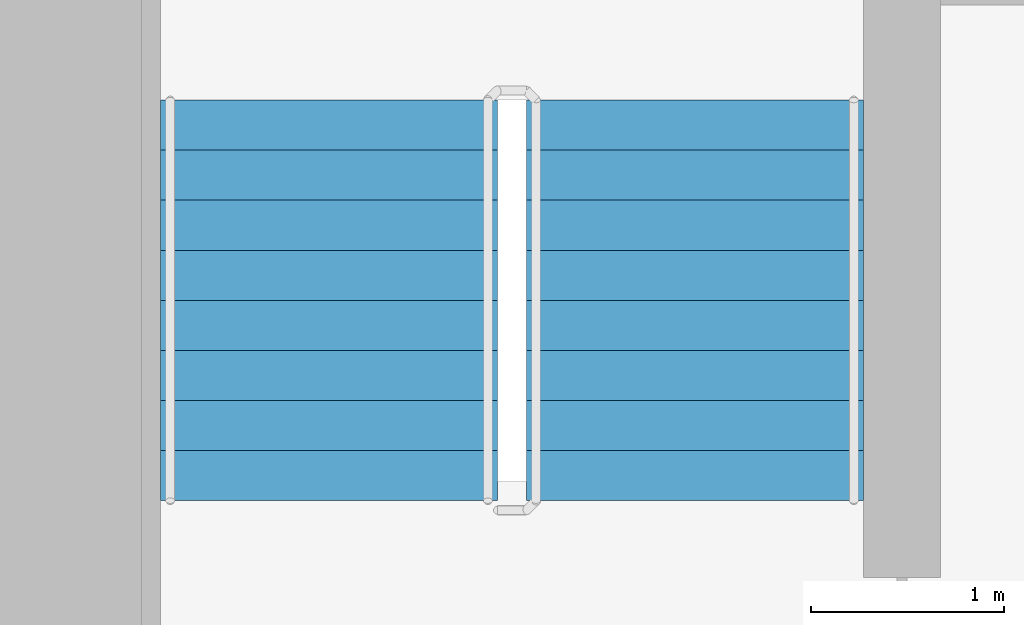
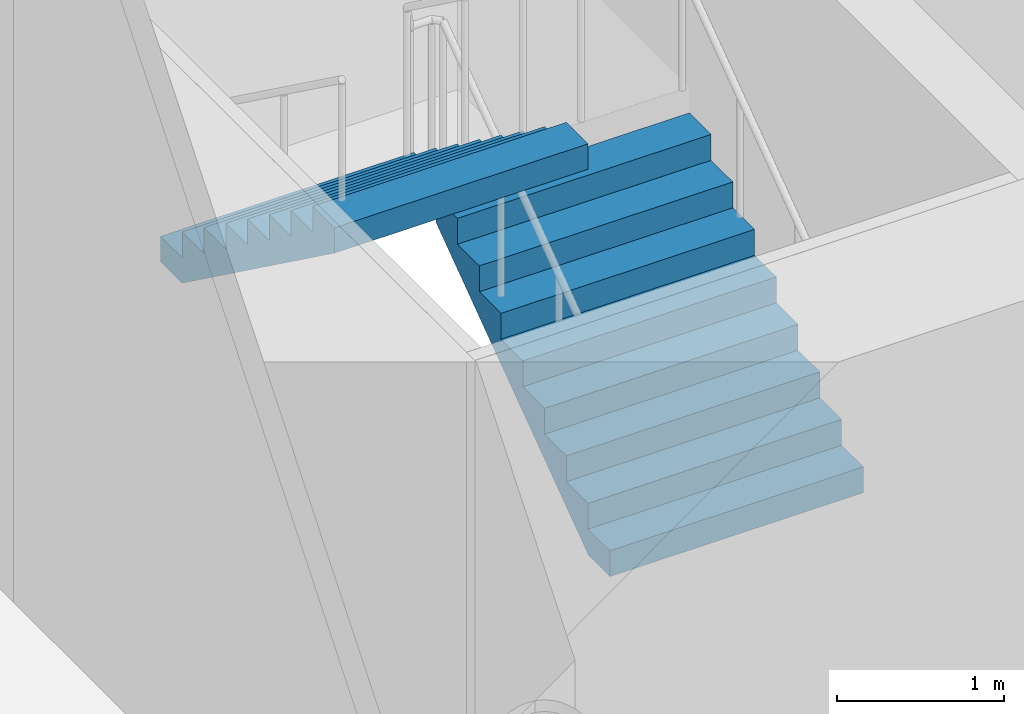
# One storey, part 35 of 40: 2 stair flights, 1 element without a shape of its own.
"""IFC4 building model written with IfcOpenShell, lengths in metres."""

from ifc_helpers import new_model, si_unit, direction, frame, origin, place, context, subcontext, project, spatial, faceted_brep, material, type_object, element, aggregate, save


model = new_model("IFC4")

# Units and contexts
model_context = context("Model", 3, precision=1e-05, world=origin(), true_north=direction((0.0, 1.0)))
body_context = subcontext(model_context, "Body", "Model", "MODEL_VIEW")
ifc_project = project(units=[si_unit("LENGTHUNIT", "METRE"), si_unit("AREAUNIT", "SQUARE_METRE"), si_unit("VOLUMEUNIT", "CUBIC_METRE"), si_unit("PLANEANGLEUNIT", "RADIAN"), si_unit("MASSUNIT", "GRAM", prefix="KILO")], contexts=[model_context])

# Site, building, storey
site_placement = place(None, origin())
site = spatial("IfcSite", under=ifc_project, at=site_placement, CompositionType="ELEMENT")
building_placement = place(site_placement, origin())
building = spatial("IfcBuilding", under=site, at=building_placement, Name="Ipe Terrace Towers", CompositionType="ELEMENT")
storey_placement = place(building_placement, frame((0.0, 0.0, 24.5)))
storey = spatial("IfcBuildingStorey", under=building, at=storey_placement, Name="L05", CompositionType="ELEMENT", Elevation=24.5)

# Stair, stair flights
ifc_material_1 = material(Name="Concrete C30/37", Category="concrete")
stair_type = type_object("IfcStairType", Name="Protected exit stair", PredefinedType="HALF_TURN_STAIR", material=ifc_material_1)
stair_placement = place(storey_placement, origin())
stair = element("IfcStair", 1, at=stair_placement, inside=storey, type_object=stair_type, Name="L05 Exit stair T2-C1", PredefinedType="HALF_TURN_STAIR")
ifc_material_2 = material(Name="Concrete C30/37", Category="concrete")
stair_flight_type = type_object("IfcStairFlightType", Name="Exit stair flight 1750", PredefinedType="STRAIGHT", material=ifc_material_2)
stair_flight_1_placement = place(storey_placement, frame((33.22509765625, 9.699951171875, 0.0), z_axis=(0.0, 0.0, 1.0), x_axis=(0.0, 1.0, 0.0)))
stair_flight_1 = element("IfcStairFlight", 2, at=stair_flight_1_placement, type_object=stair_flight_type, Name="T2-ST1 flight 1", NumberOfRisers=9, NumberOfTreads=8, PredefinedType="STRAIGHT", RiserHeight=0.188888889, TreadLength=0.26, context=body_context, shape_type="Brep", body=[
    faceted_brep([(0.255126953125, -0.875, 0.0), (2.080078125, -0.875, 1.325927734375), (2.080078125, -0.875, 1.51123046875), (1.820068359375, -0.875, 1.51123046875), (1.820068359375, -0.875, 1.322265625), (1.56005859375, -0.875, 1.322265625), (1.56005859375, -0.875, 1.13330078125), (1.300048828125, -0.875, 1.13330078125), (1.300048828125, -0.875, 0.9443359375), (1.0400390625, -0.875, 0.9443359375), (1.0400390625, -0.875, 0.755615234375), (0.780029296875, -0.875, 0.755615234375), (0.780029296875, -0.875, 0.566650390625), (0.52001953125, -0.875, 0.566650390625), (0.52001953125, -0.875, 0.377685546875), (0.260009765625, -0.875, 0.377685546875), (0.260009765625, -0.875, 0.18896484375), (0.0, -0.875, 0.18896484375), (0.0, -0.875, 0.0), (0.0, 0.875, 0.0), (0.0, 0.875, 0.18896484375), (0.260009765625, 0.875, 0.18896484375), (0.260009765625, 0.875, 0.377685546875), (0.52001953125, 0.875, 0.377685546875), (0.52001953125, 0.875, 0.566650390625), (0.780029296875, 0.875, 0.566650390625), (0.780029296875, 0.875, 0.755615234375), (1.0400390625, 0.875, 0.755615234375), (1.0400390625, 0.875, 0.9443359375), (1.300048828125, 0.875, 0.9443359375), (1.300048828125, 0.875, 1.13330078125), (1.56005859375, 0.875, 1.13330078125), (1.56005859375, 0.875, 1.322265625), (1.820068359375, 0.875, 1.322265625), (1.820068359375, 0.875, 1.51123046875), (2.080078125, 0.875, 1.51123046875), (2.080078125, 0.875, 1.325927734375), (0.255126953125, 0.875, 0.0), (0.0, -0.300048828125, 0.18896484375), (0.0, -0.1201171875, 0.18896484375), (0.0, -0.06005859375, 0.18896484375), (0.0, -0.030029296875, 0.18896484375), (0.0, -0.010009765625, 0.18896484375), (0.0, 0.0, 0.18896484375), (0.0, 0.010009765625, 0.18896484375), (0.0, 0.030029296875, 0.18896484375), (0.0, 0.06005859375, 0.18896484375), (0.0, 0.1201171875, 0.18896484375), (0.0, 0.300048828125, 0.18896484375), (0.0, 0.300048828125, 0.0), (0.0, 0.1201171875, 0.0), (0.0, 0.06005859375, 0.0), (0.0, 0.030029296875, 0.0), (0.0, 0.010009765625, 0.0), (0.0, 0.0, 0.0), (0.0, -0.010009765625, 0.0), (0.0, -0.030029296875, 0.0), (0.0, -0.06005859375, 0.0), (0.0, -0.1201171875, 0.0), (0.0, -0.300048828125, 0.0), (0.260009765625, -0.300048828125, 0.18896484375), (0.260009765625, -0.1201171875, 0.18896484375), (0.260009765625, -0.06005859375, 0.18896484375), (0.260009765625, -0.030029296875, 0.18896484375), (0.260009765625, -0.010009765625, 0.18896484375), (0.260009765625, 0.0, 0.18896484375), (0.260009765625, 0.010009765625, 0.18896484375), (0.260009765625, 0.030029296875, 0.18896484375), (0.260009765625, 0.06005859375, 0.18896484375), (0.260009765625, 0.1201171875, 0.18896484375), (0.260009765625, 0.300048828125, 0.18896484375), (0.260009765625, -0.300048828125, 0.377685546875), (0.260009765625, -0.1201171875, 0.377685546875), (0.260009765625, -0.06005859375, 0.377685546875), (0.260009765625, -0.030029296875, 0.377685546875), (0.260009765625, -0.010009765625, 0.377685546875), (0.260009765625, 0.0, 0.377685546875), (0.260009765625, 0.010009765625, 0.377685546875), (0.260009765625, 0.030029296875, 0.377685546875), (0.260009765625, 0.06005859375, 0.377685546875), (0.260009765625, 0.1201171875, 0.377685546875), (0.260009765625, 0.300048828125, 0.377685546875), (0.52001953125, -0.300048828125, 0.377685546875), (0.52001953125, -0.1201171875, 0.377685546875), (0.52001953125, -0.06005859375, 0.377685546875), (0.52001953125, -0.030029296875, 0.377685546875), (0.52001953125, -0.010009765625, 0.377685546875), (0.52001953125, 0.0, 0.377685546875), (0.52001953125, 0.010009765625, 0.377685546875), (0.52001953125, 0.030029296875, 0.377685546875), (0.52001953125, 0.06005859375, 0.377685546875), (0.52001953125, 0.1201171875, 0.377685546875), (0.52001953125, 0.300048828125, 0.377685546875), (0.52001953125, -0.300048828125, 0.566650390625), (0.52001953125, -0.1201171875, 0.566650390625), (0.52001953125, -0.06005859375, 0.566650390625), (0.52001953125, -0.030029296875, 0.566650390625), (0.52001953125, -0.010009765625, 0.566650390625), (0.52001953125, 0.0, 0.566650390625), (0.52001953125, 0.010009765625, 0.566650390625), (0.52001953125, 0.030029296875, 0.566650390625), (0.52001953125, 0.06005859375, 0.566650390625), (0.52001953125, 0.1201171875, 0.566650390625), (0.52001953125, 0.300048828125, 0.566650390625), (0.780029296875, -0.300048828125, 0.566650390625), (0.780029296875, -0.1201171875, 0.566650390625), (0.780029296875, -0.06005859375, 0.566650390625), (0.780029296875, -0.030029296875, 0.566650390625), (0.780029296875, -0.010009765625, 0.566650390625), (0.780029296875, 0.0, 0.566650390625), (0.780029296875, 0.010009765625, 0.566650390625), (0.780029296875, 0.030029296875, 0.566650390625), (0.780029296875, 0.06005859375, 0.566650390625), (0.780029296875, 0.1201171875, 0.566650390625), (0.780029296875, 0.300048828125, 0.566650390625), (0.780029296875, -0.300048828125, 0.755615234375), (0.780029296875, -0.1201171875, 0.755615234375), (0.780029296875, -0.06005859375, 0.755615234375), (0.780029296875, -0.030029296875, 0.755615234375), (0.780029296875, -0.010009765625, 0.755615234375), (0.780029296875, 0.0, 0.755615234375), (0.780029296875, 0.010009765625, 0.755615234375), (0.780029296875, 0.030029296875, 0.755615234375), (0.780029296875, 0.06005859375, 0.755615234375), (0.780029296875, 0.1201171875, 0.755615234375), (0.780029296875, 0.300048828125, 0.755615234375), (1.0400390625, -0.300048828125, 0.755615234375), (1.0400390625, -0.1201171875, 0.755615234375), (1.0400390625, -0.06005859375, 0.755615234375), (1.0400390625, -0.030029296875, 0.755615234375), (1.0400390625, -0.010009765625, 0.755615234375), (1.0400390625, 0.0, 0.755615234375), (1.0400390625, 0.010009765625, 0.755615234375), (1.0400390625, 0.030029296875, 0.755615234375), (1.0400390625, 0.06005859375, 0.755615234375), (1.0400390625, 0.1201171875, 0.755615234375), (1.0400390625, 0.300048828125, 0.755615234375), (1.0400390625, -0.300048828125, 0.9443359375), (1.0400390625, -0.1201171875, 0.9443359375), (1.0400390625, -0.06005859375, 0.9443359375), (1.0400390625, -0.030029296875, 0.9443359375), (1.0400390625, -0.010009765625, 0.9443359375), (1.0400390625, 0.0, 0.9443359375), (1.0400390625, 0.010009765625, 0.9443359375), (1.0400390625, 0.030029296875, 0.9443359375), (1.0400390625, 0.06005859375, 0.9443359375), (1.0400390625, 0.1201171875, 0.9443359375), (1.0400390625, 0.300048828125, 0.9443359375), (1.300048828125, -0.300048828125, 0.9443359375), (1.300048828125, -0.1201171875, 0.9443359375), (1.300048828125, -0.06005859375, 0.9443359375), (1.300048828125, -0.030029296875, 0.9443359375), (1.300048828125, -0.010009765625, 0.9443359375), (1.300048828125, 0.0, 0.9443359375), (1.300048828125, 0.010009765625, 0.9443359375), (1.300048828125, 0.030029296875, 0.9443359375), (1.300048828125, 0.06005859375, 0.9443359375), (1.300048828125, 0.1201171875, 0.9443359375), (1.300048828125, 0.300048828125, 0.9443359375), (1.300048828125, -0.300048828125, 1.13330078125), (1.300048828125, -0.1201171875, 1.13330078125), (1.300048828125, -0.06005859375, 1.13330078125), (1.300048828125, -0.030029296875, 1.13330078125), (1.300048828125, -0.010009765625, 1.13330078125), (1.300048828125, 0.0, 1.13330078125), (1.300048828125, 0.010009765625, 1.13330078125), (1.300048828125, 0.030029296875, 1.13330078125), (1.300048828125, 0.06005859375, 1.13330078125), (1.300048828125, 0.1201171875, 1.13330078125), (1.300048828125, 0.300048828125, 1.13330078125), (1.56005859375, -0.300048828125, 1.13330078125), (1.56005859375, -0.1201171875, 1.13330078125), (1.56005859375, -0.06005859375, 1.13330078125), (1.56005859375, -0.030029296875, 1.13330078125), (1.56005859375, -0.010009765625, 1.13330078125), (1.56005859375, 0.0, 1.13330078125), (1.56005859375, 0.010009765625, 1.13330078125), (1.56005859375, 0.030029296875, 1.13330078125), (1.56005859375, 0.06005859375, 1.13330078125), (1.56005859375, 0.1201171875, 1.13330078125), (1.56005859375, 0.300048828125, 1.13330078125), (1.56005859375, -0.300048828125, 1.322265625), (1.56005859375, -0.1201171875, 1.322265625), (1.56005859375, -0.06005859375, 1.322265625), (1.56005859375, -0.030029296875, 1.322265625), (1.56005859375, -0.010009765625, 1.322265625), (1.56005859375, 0.0, 1.322265625), (1.56005859375, 0.010009765625, 1.322265625), (1.56005859375, 0.030029296875, 1.322265625), (1.56005859375, 0.06005859375, 1.322265625), (1.56005859375, 0.1201171875, 1.322265625), (1.56005859375, 0.300048828125, 1.322265625), (1.820068359375, -0.300048828125, 1.322265625), (1.820068359375, -0.1201171875, 1.322265625), (1.820068359375, -0.06005859375, 1.322265625), (1.820068359375, -0.030029296875, 1.322265625), (1.820068359375, -0.010009765625, 1.322265625), (1.820068359375, 0.0, 1.322265625), (1.820068359375, 0.010009765625, 1.322265625), (1.820068359375, 0.030029296875, 1.322265625), (1.820068359375, 0.06005859375, 1.322265625), (1.820068359375, 0.1201171875, 1.322265625), (1.820068359375, 0.300048828125, 1.322265625), (1.820068359375, -0.300048828125, 1.51123046875), (1.820068359375, -0.1201171875, 1.51123046875), (1.820068359375, -0.06005859375, 1.51123046875), (1.820068359375, -0.030029296875, 1.51123046875), (1.820068359375, -0.010009765625, 1.51123046875), (1.820068359375, 0.0, 1.51123046875), (1.820068359375, 0.010009765625, 1.51123046875), (1.820068359375, 0.030029296875, 1.51123046875), (1.820068359375, 0.06005859375, 1.51123046875), (1.820068359375, 0.1201171875, 1.51123046875), (1.820068359375, 0.300048828125, 1.51123046875), (2.080078125, -0.300048828125, 1.51123046875), (2.080078125, -0.1201171875, 1.51123046875), (2.080078125, -0.06005859375, 1.51123046875), (2.080078125, -0.030029296875, 1.51123046875), (2.080078125, -0.010009765625, 1.51123046875), (2.080078125, 0.0, 1.51123046875), (2.080078125, 0.010009765625, 1.51123046875), (2.080078125, 0.030029296875, 1.51123046875), (2.080078125, 0.06005859375, 1.51123046875), (2.080078125, 0.1201171875, 1.51123046875), (2.080078125, 0.300048828125, 1.51123046875), (2.080078125, -0.300048828125, 1.325927734375), (2.080078125, -0.1201171875, 1.325927734375), (2.080078125, -0.06005859375, 1.325927734375), (2.080078125, -0.030029296875, 1.325927734375), (2.080078125, -0.010009765625, 1.325927734375), (2.080078125, 0.0, 1.325927734375), (2.080078125, 0.010009765625, 1.325927734375), (2.080078125, 0.030029296875, 1.325927734375), (2.080078125, 0.06005859375, 1.325927734375), (2.080078125, 0.1201171875, 1.325927734375), (2.080078125, 0.300048828125, 1.325927734375), (0.255126953125, -0.300048828125, 0.0), (0.255126953125, -0.1201171875, 0.0), (0.255126953125, -0.06005859375, 0.0), (0.255126953125, -0.030029296875, 0.0), (0.255126953125, -0.010009765625, 0.0), (0.255126953125, 0.0, 0.0), (0.255126953125, 0.010009765625, 0.0), (0.255126953125, 0.030029296875, 0.0), (0.255126953125, 0.06005859375, 0.0), (0.255126953125, 0.1201171875, 0.0), (0.255126953125, 0.300048828125, 0.0)], [[[0, 1, 2, 3, 4, 5, 6, 7, 8, 9, 10, 11, 12, 13, 14, 15, 16, 17, 18]], [[19, 20, 21, 22, 23, 24, 25, 26, 27, 28, 29, 30, 31, 32, 33, 34, 35, 36, 37]], [[17, 38, 39, 40, 41, 42, 43, 44, 45, 46, 47, 48, 20, 19, 49, 50, 51, 52, 53, 54, 55, 56, 57, 58, 59, 18]], [[16, 60, 61, 62, 63, 64, 65, 66, 67, 68, 69, 70, 21, 20, 48, 47, 46, 45, 44, 43, 42, 41, 40, 39, 38, 17]], [[15, 71, 72, 73, 74, 75, 76, 77, 78, 79, 80, 81, 22, 21, 70, 69, 68, 67, 66, 65, 64, 63, 62, 61, 60, 16]], [[14, 82, 83, 84, 85, 86, 87, 88, 89, 90, 91, 92, 23, 22, 81, 80, 79, 78, 77, 76, 75, 74, 73, 72, 71, 15]], [[13, 93, 94, 95, 96, 97, 98, 99, 100, 101, 102, 103, 24, 23, 92, 91, 90, 89, 88, 87, 86, 85, 84, 83, 82, 14]], [[12, 104, 105, 106, 107, 108, 109, 110, 111, 112, 113, 114, 25, 24, 103, 102, 101, 100, 99, 98, 97, 96, 95, 94, 93, 13]], [[11, 115, 116, 117, 118, 119, 120, 121, 122, 123, 124, 125, 26, 25, 114, 113, 112, 111, 110, 109, 108, 107, 106, 105, 104, 12]], [[10, 126, 127, 128, 129, 130, 131, 132, 133, 134, 135, 136, 27, 26, 125, 124, 123, 122, 121, 120, 119, 118, 117, 116, 115, 11]], [[9, 137, 138, 139, 140, 141, 142, 143, 144, 145, 146, 147, 28, 27, 136, 135, 134, 133, 132, 131, 130, 129, 128, 127, 126, 10]], [[8, 148, 149, 150, 151, 152, 153, 154, 155, 156, 157, 158, 29, 28, 147, 146, 145, 144, 143, 142, 141, 140, 139, 138, 137, 9]], [[7, 159, 160, 161, 162, 163, 164, 165, 166, 167, 168, 169, 30, 29, 158, 157, 156, 155, 154, 153, 152, 151, 150, 149, 148, 8]], [[6, 170, 171, 172, 173, 174, 175, 176, 177, 178, 179, 180, 31, 30, 169, 168, 167, 166, 165, 164, 163, 162, 161, 160, 159, 7]], [[5, 181, 182, 183, 184, 185, 186, 187, 188, 189, 190, 191, 32, 31, 180, 179, 178, 177, 176, 175, 174, 173, 172, 171, 170, 6]], [[4, 192, 193, 194, 195, 196, 197, 198, 199, 200, 201, 202, 33, 32, 191, 190, 189, 188, 187, 186, 185, 184, 183, 182, 181, 5]], [[3, 203, 204, 205, 206, 207, 208, 209, 210, 211, 212, 213, 34, 33, 202, 201, 200, 199, 198, 197, 196, 195, 194, 193, 192, 4]], [[2, 214, 215, 216, 217, 218, 219, 220, 221, 222, 223, 224, 35, 34, 213, 212, 211, 210, 209, 208, 207, 206, 205, 204, 203, 3]], [[1, 225, 226, 227, 228, 229, 230, 231, 232, 233, 234, 235, 36, 35, 224, 223, 222, 221, 220, 219, 218, 217, 216, 215, 214, 2]], [[0, 236, 237, 238, 239, 240, 241, 242, 243, 244, 245, 246, 37, 36, 235, 234, 233, 232, 231, 230, 229, 228, 227, 226, 225, 1]], [[18, 59, 58, 57, 56, 55, 54, 53, 52, 51, 50, 49, 19, 37, 246, 245, 244, 243, 242, 241, 240, 239, 238, 237, 236, 0]]]),
])
stair_flight_2_placement = place(storey_placement, frame((31.324951171875, 11.780029296875, 1.699951171875), z_axis=(0.0, 0.0, 1.0), x_axis=(0.0, -1.0, 0.0)))
stair_flight_2 = element("IfcStairFlight", 3, at=stair_flight_2_placement, type_object=stair_flight_type, Name="T2-ST1 flight 2", NumberOfRisers=9, NumberOfTreads=8, PredefinedType="STRAIGHT", RiserHeight=0.188888889, TreadLength=0.26, context=body_context, shape_type="Brep", body=[
    faceted_brep([(0.255126953125, -0.875, 0.0), (2.080078125, -0.875, 1.325927734375), (2.080078125, -0.875, 1.51123046875), (1.820068359375, -0.875, 1.51123046875), (1.820068359375, -0.875, 1.322265625), (1.56005859375, -0.875, 1.322265625), (1.56005859375, -0.875, 1.13330078125), (1.300048828125, -0.875, 1.13330078125), (1.300048828125, -0.875, 0.9443359375), (1.0400390625, -0.875, 0.9443359375), (1.0400390625, -0.875, 0.755615234375), (0.780029296875, -0.875, 0.755615234375), (0.780029296875, -0.875, 0.566650390625), (0.52001953125, -0.875, 0.566650390625), (0.52001953125, -0.875, 0.377685546875), (0.260009765625, -0.875, 0.377685546875), (0.260009765625, -0.875, 0.18896484375), (0.0, -0.875, 0.18896484375), (0.0, -0.875, 0.0), (0.0, 0.875, 0.0), (0.0, 0.875, 0.18896484375), (0.260009765625, 0.875, 0.18896484375), (0.260009765625, 0.875, 0.377685546875), (0.52001953125, 0.875, 0.377685546875), (0.52001953125, 0.875, 0.566650390625), (0.780029296875, 0.875, 0.566650390625), (0.780029296875, 0.875, 0.755615234375), (1.0400390625, 0.875, 0.755615234375), (1.0400390625, 0.875, 0.9443359375), (1.300048828125, 0.875, 0.9443359375), (1.300048828125, 0.875, 1.13330078125), (1.56005859375, 0.875, 1.13330078125), (1.56005859375, 0.875, 1.322265625), (1.820068359375, 0.875, 1.322265625), (1.820068359375, 0.875, 1.51123046875), (2.080078125, 0.875, 1.51123046875), (2.080078125, 0.875, 1.325927734375), (0.255126953125, 0.875, 0.0), (0.0, -0.300048828125, 0.18896484375), (0.0, -0.1201171875, 0.18896484375), (0.0, -0.06005859375, 0.18896484375), (0.0, -0.030029296875, 0.18896484375), (0.0, -0.010009765625, 0.18896484375), (0.0, 0.0, 0.18896484375), (0.0, 0.010009765625, 0.18896484375), (0.0, 0.030029296875, 0.18896484375), (0.0, 0.06005859375, 0.18896484375), (0.0, 0.1201171875, 0.18896484375), (0.0, 0.300048828125, 0.18896484375), (0.0, 0.300048828125, 0.0), (0.0, 0.1201171875, 0.0), (0.0, 0.06005859375, 0.0), (0.0, 0.030029296875, 0.0), (0.0, 0.010009765625, 0.0), (0.0, 0.0, 0.0), (0.0, -0.010009765625, 0.0), (0.0, -0.030029296875, 0.0), (0.0, -0.06005859375, 0.0), (0.0, -0.1201171875, 0.0), (0.0, -0.300048828125, 0.0), (0.260009765625, -0.300048828125, 0.18896484375), (0.260009765625, -0.1201171875, 0.18896484375), (0.260009765625, -0.06005859375, 0.18896484375), (0.260009765625, -0.030029296875, 0.18896484375), (0.260009765625, -0.010009765625, 0.18896484375), (0.260009765625, 0.0, 0.18896484375), (0.260009765625, 0.010009765625, 0.18896484375), (0.260009765625, 0.030029296875, 0.18896484375), (0.260009765625, 0.06005859375, 0.18896484375), (0.260009765625, 0.1201171875, 0.18896484375), (0.260009765625, 0.300048828125, 0.18896484375), (0.260009765625, -0.300048828125, 0.377685546875), (0.260009765625, -0.1201171875, 0.377685546875), (0.260009765625, -0.06005859375, 0.377685546875), (0.260009765625, -0.030029296875, 0.377685546875), (0.260009765625, -0.010009765625, 0.377685546875), (0.260009765625, 0.0, 0.377685546875), (0.260009765625, 0.010009765625, 0.377685546875), (0.260009765625, 0.030029296875, 0.377685546875), (0.260009765625, 0.06005859375, 0.377685546875), (0.260009765625, 0.1201171875, 0.377685546875), (0.260009765625, 0.300048828125, 0.377685546875), (0.52001953125, -0.300048828125, 0.377685546875), (0.52001953125, -0.1201171875, 0.377685546875), (0.52001953125, -0.06005859375, 0.377685546875), (0.52001953125, -0.030029296875, 0.377685546875), (0.52001953125, -0.010009765625, 0.377685546875), (0.52001953125, 0.0, 0.377685546875), (0.52001953125, 0.010009765625, 0.377685546875), (0.52001953125, 0.030029296875, 0.377685546875), (0.52001953125, 0.06005859375, 0.377685546875), (0.52001953125, 0.1201171875, 0.377685546875), (0.52001953125, 0.300048828125, 0.377685546875), (0.52001953125, -0.300048828125, 0.566650390625), (0.52001953125, -0.1201171875, 0.566650390625), (0.52001953125, -0.06005859375, 0.566650390625), (0.52001953125, -0.030029296875, 0.566650390625), (0.52001953125, -0.010009765625, 0.566650390625), (0.52001953125, 0.0, 0.566650390625), (0.52001953125, 0.010009765625, 0.566650390625), (0.52001953125, 0.030029296875, 0.566650390625), (0.52001953125, 0.06005859375, 0.566650390625), (0.52001953125, 0.1201171875, 0.566650390625), (0.52001953125, 0.300048828125, 0.566650390625), (0.780029296875, -0.300048828125, 0.566650390625), (0.780029296875, -0.1201171875, 0.566650390625), (0.780029296875, -0.06005859375, 0.566650390625), (0.780029296875, -0.030029296875, 0.566650390625), (0.780029296875, -0.010009765625, 0.566650390625), (0.780029296875, 0.0, 0.566650390625), (0.780029296875, 0.010009765625, 0.566650390625), (0.780029296875, 0.030029296875, 0.566650390625), (0.780029296875, 0.06005859375, 0.566650390625), (0.780029296875, 0.1201171875, 0.566650390625), (0.780029296875, 0.300048828125, 0.566650390625), (0.780029296875, -0.300048828125, 0.755615234375), (0.780029296875, -0.1201171875, 0.755615234375), (0.780029296875, -0.06005859375, 0.755615234375), (0.780029296875, -0.030029296875, 0.755615234375), (0.780029296875, -0.010009765625, 0.755615234375), (0.780029296875, 0.0, 0.755615234375), (0.780029296875, 0.010009765625, 0.755615234375), (0.780029296875, 0.030029296875, 0.755615234375), (0.780029296875, 0.06005859375, 0.755615234375), (0.780029296875, 0.1201171875, 0.755615234375), (0.780029296875, 0.300048828125, 0.755615234375), (1.0400390625, -0.300048828125, 0.755615234375), (1.0400390625, -0.1201171875, 0.755615234375), (1.0400390625, -0.06005859375, 0.755615234375), (1.0400390625, -0.030029296875, 0.755615234375), (1.0400390625, -0.010009765625, 0.755615234375), (1.0400390625, 0.0, 0.755615234375), (1.0400390625, 0.010009765625, 0.755615234375), (1.0400390625, 0.030029296875, 0.755615234375), (1.0400390625, 0.06005859375, 0.755615234375), (1.0400390625, 0.1201171875, 0.755615234375), (1.0400390625, 0.300048828125, 0.755615234375), (1.0400390625, -0.300048828125, 0.9443359375), (1.0400390625, -0.1201171875, 0.9443359375), (1.0400390625, -0.06005859375, 0.9443359375), (1.0400390625, -0.030029296875, 0.9443359375), (1.0400390625, -0.010009765625, 0.9443359375), (1.0400390625, 0.0, 0.9443359375), (1.0400390625, 0.010009765625, 0.9443359375), (1.0400390625, 0.030029296875, 0.9443359375), (1.0400390625, 0.06005859375, 0.9443359375), (1.0400390625, 0.1201171875, 0.9443359375), (1.0400390625, 0.300048828125, 0.9443359375), (1.300048828125, -0.300048828125, 0.9443359375), (1.300048828125, -0.1201171875, 0.9443359375), (1.300048828125, -0.06005859375, 0.9443359375), (1.300048828125, -0.030029296875, 0.9443359375), (1.300048828125, -0.010009765625, 0.9443359375), (1.300048828125, 0.0, 0.9443359375), (1.300048828125, 0.010009765625, 0.9443359375), (1.300048828125, 0.030029296875, 0.9443359375), (1.300048828125, 0.06005859375, 0.9443359375), (1.300048828125, 0.1201171875, 0.9443359375), (1.300048828125, 0.300048828125, 0.9443359375), (1.300048828125, -0.300048828125, 1.13330078125), (1.300048828125, -0.1201171875, 1.13330078125), (1.300048828125, -0.06005859375, 1.13330078125), (1.300048828125, -0.030029296875, 1.13330078125), (1.300048828125, -0.010009765625, 1.13330078125), (1.300048828125, 0.0, 1.13330078125), (1.300048828125, 0.010009765625, 1.13330078125), (1.300048828125, 0.030029296875, 1.13330078125), (1.300048828125, 0.06005859375, 1.13330078125), (1.300048828125, 0.1201171875, 1.13330078125), (1.300048828125, 0.300048828125, 1.13330078125), (1.56005859375, -0.300048828125, 1.13330078125), (1.56005859375, -0.1201171875, 1.13330078125), (1.56005859375, -0.06005859375, 1.13330078125), (1.56005859375, -0.030029296875, 1.13330078125), (1.56005859375, -0.010009765625, 1.13330078125), (1.56005859375, 0.0, 1.13330078125), (1.56005859375, 0.010009765625, 1.13330078125), (1.56005859375, 0.030029296875, 1.13330078125), (1.56005859375, 0.06005859375, 1.13330078125), (1.56005859375, 0.1201171875, 1.13330078125), (1.56005859375, 0.300048828125, 1.13330078125), (1.56005859375, -0.300048828125, 1.322265625), (1.56005859375, -0.1201171875, 1.322265625), (1.56005859375, -0.06005859375, 1.322265625), (1.56005859375, -0.030029296875, 1.322265625), (1.56005859375, -0.010009765625, 1.322265625), (1.56005859375, 0.0, 1.322265625), (1.56005859375, 0.010009765625, 1.322265625), (1.56005859375, 0.030029296875, 1.322265625), (1.56005859375, 0.06005859375, 1.322265625), (1.56005859375, 0.1201171875, 1.322265625), (1.56005859375, 0.300048828125, 1.322265625), (1.820068359375, -0.300048828125, 1.322265625), (1.820068359375, -0.1201171875, 1.322265625), (1.820068359375, -0.06005859375, 1.322265625), (1.820068359375, -0.030029296875, 1.322265625), (1.820068359375, -0.010009765625, 1.322265625), (1.820068359375, 0.0, 1.322265625), (1.820068359375, 0.010009765625, 1.322265625), (1.820068359375, 0.030029296875, 1.322265625), (1.820068359375, 0.06005859375, 1.322265625), (1.820068359375, 0.1201171875, 1.322265625), (1.820068359375, 0.300048828125, 1.322265625), (1.820068359375, -0.300048828125, 1.51123046875), (1.820068359375, -0.1201171875, 1.51123046875), (1.820068359375, -0.06005859375, 1.51123046875), (1.820068359375, -0.030029296875, 1.51123046875), (1.820068359375, -0.010009765625, 1.51123046875), (1.820068359375, 0.0, 1.51123046875), (1.820068359375, 0.010009765625, 1.51123046875), (1.820068359375, 0.030029296875, 1.51123046875), (1.820068359375, 0.06005859375, 1.51123046875), (1.820068359375, 0.1201171875, 1.51123046875), (1.820068359375, 0.300048828125, 1.51123046875), (2.080078125, -0.300048828125, 1.51123046875), (2.080078125, -0.1201171875, 1.51123046875), (2.080078125, -0.06005859375, 1.51123046875), (2.080078125, -0.030029296875, 1.51123046875), (2.080078125, -0.010009765625, 1.51123046875), (2.080078125, 0.0, 1.51123046875), (2.080078125, 0.010009765625, 1.51123046875), (2.080078125, 0.030029296875, 1.51123046875), (2.080078125, 0.06005859375, 1.51123046875), (2.080078125, 0.1201171875, 1.51123046875), (2.080078125, 0.300048828125, 1.51123046875), (2.080078125, -0.300048828125, 1.325927734375), (2.080078125, -0.1201171875, 1.325927734375), (2.080078125, -0.06005859375, 1.325927734375), (2.080078125, -0.030029296875, 1.325927734375), (2.080078125, -0.010009765625, 1.325927734375), (2.080078125, 0.0, 1.325927734375), (2.080078125, 0.010009765625, 1.325927734375), (2.080078125, 0.030029296875, 1.325927734375), (2.080078125, 0.06005859375, 1.325927734375), (2.080078125, 0.1201171875, 1.325927734375), (2.080078125, 0.300048828125, 1.325927734375), (0.255126953125, -0.300048828125, 0.0), (0.255126953125, -0.1201171875, 0.0), (0.255126953125, -0.06005859375, 0.0), (0.255126953125, -0.030029296875, 0.0), (0.255126953125, -0.010009765625, 0.0), (0.255126953125, 0.0, 0.0), (0.255126953125, 0.010009765625, 0.0), (0.255126953125, 0.030029296875, 0.0), (0.255126953125, 0.06005859375, 0.0), (0.255126953125, 0.1201171875, 0.0), (0.255126953125, 0.300048828125, 0.0)], [[[0, 1, 2, 3, 4, 5, 6, 7, 8, 9, 10, 11, 12, 13, 14, 15, 16, 17, 18]], [[19, 20, 21, 22, 23, 24, 25, 26, 27, 28, 29, 30, 31, 32, 33, 34, 35, 36, 37]], [[17, 38, 39, 40, 41, 42, 43, 44, 45, 46, 47, 48, 20, 19, 49, 50, 51, 52, 53, 54, 55, 56, 57, 58, 59, 18]], [[16, 60, 61, 62, 63, 64, 65, 66, 67, 68, 69, 70, 21, 20, 48, 47, 46, 45, 44, 43, 42, 41, 40, 39, 38, 17]], [[15, 71, 72, 73, 74, 75, 76, 77, 78, 79, 80, 81, 22, 21, 70, 69, 68, 67, 66, 65, 64, 63, 62, 61, 60, 16]], [[14, 82, 83, 84, 85, 86, 87, 88, 89, 90, 91, 92, 23, 22, 81, 80, 79, 78, 77, 76, 75, 74, 73, 72, 71, 15]], [[13, 93, 94, 95, 96, 97, 98, 99, 100, 101, 102, 103, 24, 23, 92, 91, 90, 89, 88, 87, 86, 85, 84, 83, 82, 14]], [[12, 104, 105, 106, 107, 108, 109, 110, 111, 112, 113, 114, 25, 24, 103, 102, 101, 100, 99, 98, 97, 96, 95, 94, 93, 13]], [[11, 115, 116, 117, 118, 119, 120, 121, 122, 123, 124, 125, 26, 25, 114, 113, 112, 111, 110, 109, 108, 107, 106, 105, 104, 12]], [[10, 126, 127, 128, 129, 130, 131, 132, 133, 134, 135, 136, 27, 26, 125, 124, 123, 122, 121, 120, 119, 118, 117, 116, 115, 11]], [[9, 137, 138, 139, 140, 141, 142, 143, 144, 145, 146, 147, 28, 27, 136, 135, 134, 133, 132, 131, 130, 129, 128, 127, 126, 10]], [[8, 148, 149, 150, 151, 152, 153, 154, 155, 156, 157, 158, 29, 28, 147, 146, 145, 144, 143, 142, 141, 140, 139, 138, 137, 9]], [[7, 159, 160, 161, 162, 163, 164, 165, 166, 167, 168, 169, 30, 29, 158, 157, 156, 155, 154, 153, 152, 151, 150, 149, 148, 8]], [[6, 170, 171, 172, 173, 174, 175, 176, 177, 178, 179, 180, 31, 30, 169, 168, 167, 166, 165, 164, 163, 162, 161, 160, 159, 7]], [[5, 181, 182, 183, 184, 185, 186, 187, 188, 189, 190, 191, 32, 31, 180, 179, 178, 177, 176, 175, 174, 173, 172, 171, 170, 6]], [[4, 192, 193, 194, 195, 196, 197, 198, 199, 200, 201, 202, 33, 32, 191, 190, 189, 188, 187, 186, 185, 184, 183, 182, 181, 5]], [[3, 203, 204, 205, 206, 207, 208, 209, 210, 211, 212, 213, 34, 33, 202, 201, 200, 199, 198, 197, 196, 195, 194, 193, 192, 4]], [[2, 214, 215, 216, 217, 218, 219, 220, 221, 222, 223, 224, 35, 34, 213, 212, 211, 210, 209, 208, 207, 206, 205, 204, 203, 3]], [[1, 225, 226, 227, 228, 229, 230, 231, 232, 233, 234, 235, 36, 35, 224, 223, 222, 221, 220, 219, 218, 217, 216, 215, 214, 2]], [[0, 236, 237, 238, 239, 240, 241, 242, 243, 244, 245, 246, 37, 36, 235, 234, 233, 232, 231, 230, 229, 228, 227, 226, 225, 1]], [[18, 59, 58, 57, 56, 55, 54, 53, 52, 51, 50, 49, 19, 37, 246, 245, 244, 243, 242, 241, 240, 239, 238, 237, 236, 0]]]),
])
aggregate(stair, [stair_flight_1, stair_flight_2])

save(model, "model.ifc")
